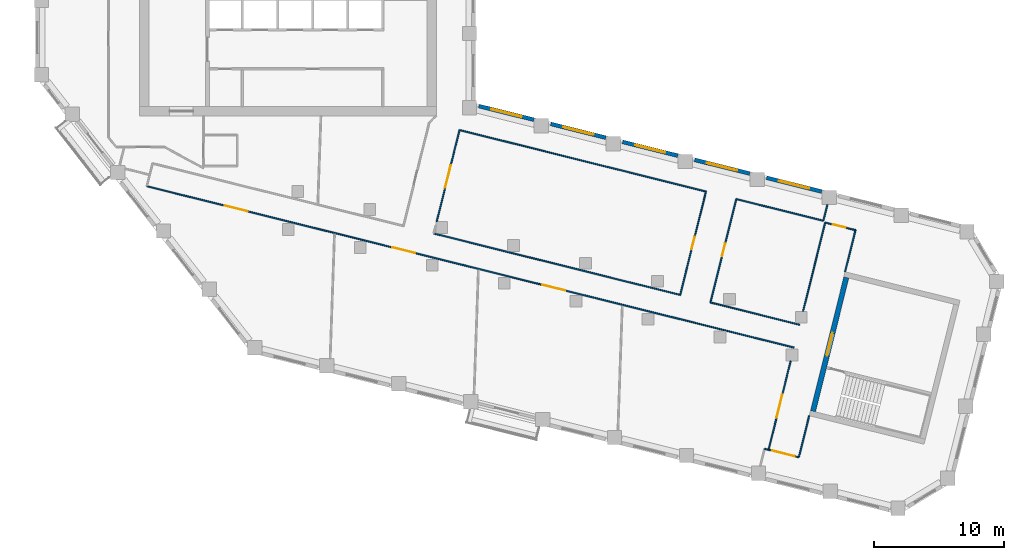
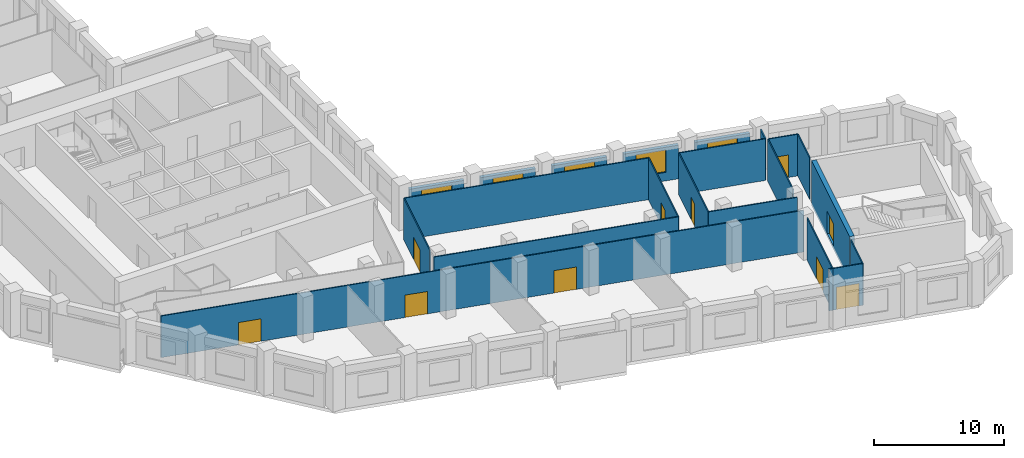
# One storey, part 4 of 10: 22 walls, 10 doors, 5 windows, 15 openings.
"""IFC4 building model written with IfcOpenShell, lengths in metres."""

from ifc_helpers import new_model, si_unit, direction, frame, frame_2d, origin, place, context, subcontext, project, spatial, rectangle, extrude, material, layer, layer_set, type_object, element, fill, save


model = new_model("IFC4")

# Units and contexts
model_context = context("Model", 3, precision=1e-05, world=origin(), true_north=direction((0.0, 1.0)))
body_context = subcontext(model_context, "Body", "Model", "MODEL_VIEW")
ifc_project = project(units=[si_unit("LENGTHUNIT", "METRE"), si_unit("AREAUNIT", "SQUARE_METRE"), si_unit("VOLUMEUNIT", "CUBIC_METRE"), si_unit("PLANEANGLEUNIT", "RADIAN"), si_unit("MASSUNIT", "GRAM", prefix="KILO")], contexts=[model_context])

# Site, building, storey
site_placement = place(None, origin())
site = spatial("IfcSite", under=ifc_project, at=site_placement, CompositionType="ELEMENT")
building_placement = place(site_placement, origin())
building = spatial("IfcBuilding", under=site, at=building_placement, Name="Meshkara Civic Tower", CompositionType="ELEMENT")
storey_placement = place(building_placement, frame((0.0, 0.0, 255.0)))
storey = spatial("IfcBuildingStorey", under=building, at=storey_placement, Name="L58", CompositionType="ELEMENT", Elevation=255.0)

# Wall, openings, doors
ifc_material_1 = material(Name="Corridor wall 100")
ifc_layer_1 = layer(ifc_material_1, 0.10009765625)
ifc_layer_set_1 = layer_set([ifc_layer_1], Name="Corridor wall 100")
wall_type_1 = type_object("IfcWallType", Name="Corridor wall 100", PredefinedType="PARTITIONING", material=ifc_layer_set_1)
wall_1_placement = place(storey_placement, frame((8.550048828125, 8.68505859375, 0.0), z_axis=(0.0, 0.0, 1.0), x_axis=(0.970298026101, -0.241912671319, 0.0)))
wall_1 = element("IfcWall", 1, at=wall_1_placement, inside=storey, type_object=wall_type_1, Name="L58-W008", PredefinedType="PARTITIONING", context=body_context, shape_type="SweptSolid", body=[
    extrude(rectangle(XDim=51.27490234375, YDim=0.10009765625, at=frame_2d((25.637451171875, 0.0))), origin(), (0.0, 0.0, 1.0), 3.89990234375),
])
opening_1_placement = place(wall_1_placement, frame((19.449951171875, 0.0, 0.0)))
opening_1 = element("IfcOpeningElement", 2, at=opening_1_placement, cuts=wall_1, Name="Opening L58-D003", PredefinedType="OPENING", context=body_context, shape_type="SweptSolid", body=[
    extrude(rectangle(XDim=1.800048828125, YDim=2.10009765625, at=frame_2d((0.89990234375, 1.050048828125))), frame((0.0, 0.06005859375, 0.0), z_axis=(0.0, -1.0, 0.0), x_axis=(1.0, 0.0, 0.0)), (0.0, 0.0, 1.0), 0.1201171875),
])
opening_2_placement = place(wall_1_placement, frame((31.35009765625, 0.0, 0.0)))
opening_2 = element("IfcOpeningElement", 3, at=opening_2_placement, cuts=wall_1, Name="Opening L58-D004", PredefinedType="OPENING", context=body_context, shape_type="SweptSolid", body=[
    extrude(rectangle(XDim=1.800048828125, YDim=2.10009765625, at=frame_2d((0.89990234375, 1.050048828125))), frame((0.0, 0.06005859375, 0.0), z_axis=(0.0, -1.0, 0.0), x_axis=(1.0, 0.0, 0.0)), (0.0, 0.0, 1.0), 0.1201171875),
])
opening_3_placement = place(wall_1_placement, frame((6.179931640625, 0.0, 0.0)))
opening_3 = element("IfcOpeningElement", 4, at=opening_3_placement, cuts=wall_1, Name="Opening L58-D010", PredefinedType="OPENING", context=body_context, shape_type="SweptSolid", body=[
    extrude(rectangle(XDim=1.800048828125, YDim=2.10009765625, at=frame_2d((0.89990234375, 1.050048828125))), frame((0.0, 0.06005859375, 0.0), z_axis=(0.0, -1.0, 0.0), x_axis=(1.0, 0.0, 0.0)), (0.0, 0.0, 1.0), 0.1201171875),
])
ifc_material_2 = material(Name="Door pair 1800 x 2100")
door_type_1 = type_object("IfcDoorType", Name="Door pair 1800 x 2100", OperationType="SINGLE_SWING_LEFT", PredefinedType="DOOR", material=ifc_material_2)
door_1_placement = place(opening_1_placement, origin())
door_1 = element("IfcDoor", 5, at=door_1_placement, inside=storey, type_object=door_type_1, Name="L58-D003", OperationType="DOUBLE_DOOR_SINGLE_SWING", OverallHeight=2.10009765625, OverallWidth=1.800048828125, PredefinedType="DOOR", context=body_context, shape_type="SweptSolid", body=[
    extrude(rectangle(XDim=1.800048828125, YDim=2.10009765625, at=frame_2d((0.89990234375, 1.050048828125))), frame((0.0, 0.02490234375, 0.0), z_axis=(0.0, -1.0, 0.0), x_axis=(1.0, 0.0, 0.0)), (0.0, 0.0, 1.0), 0.050048828125),
])
fill(opening_1, door_1)
door_2_placement = place(opening_2_placement, origin())
door_2 = element("IfcDoor", 6, at=door_2_placement, inside=storey, type_object=door_type_1, Name="L58-D004", OperationType="DOUBLE_DOOR_SINGLE_SWING", OverallHeight=2.10009765625, OverallWidth=1.800048828125, PredefinedType="DOOR", context=body_context, shape_type="SweptSolid", body=[
    extrude(rectangle(XDim=1.800048828125, YDim=2.10009765625, at=frame_2d((0.89990234375, 1.050048828125))), frame((0.0, 0.02490234375, 0.0), z_axis=(0.0, -1.0, 0.0), x_axis=(1.0, 0.0, 0.0)), (0.0, 0.0, 1.0), 0.050048828125),
])
fill(opening_2, door_2)
door_3_placement = place(opening_3_placement, origin())
door_3 = element("IfcDoor", 7, at=door_3_placement, inside=storey, type_object=door_type_1, Name="L58-D010", OperationType="DOUBLE_DOOR_SINGLE_SWING", OverallHeight=2.10009765625, OverallWidth=1.800048828125, PredefinedType="DOOR", context=body_context, shape_type="SweptSolid", body=[
    extrude(rectangle(XDim=1.800048828125, YDim=2.10009765625, at=frame_2d((0.89990234375, 1.050048828125))), frame((0.0, 0.02490234375, 0.0), z_axis=(0.0, -1.0, 0.0), x_axis=(1.0, 0.0, 0.0)), (0.0, 0.0, 1.0), 0.050048828125),
])
fill(opening_3, door_3)

# Wall, opening, door
wall_2_placement = place(storey_placement, frame((30.8330078125, 5.962890625, 0.0), z_axis=(0.0, 0.0, 1.0), x_axis=(0.241902093757, 0.970300663215, 0.0)))
wall_2 = element("IfcWall", 8, at=wall_2_placement, inside=storey, type_object=wall_type_1, Name="L58-W029", PredefinedType="PARTITIONING", context=body_context, shape_type="SweptSolid", body=[
    extrude(rectangle(XDim=7.254638671875, YDim=0.10009765625, at=frame_2d((3.62744140625, 0.0))), origin(), (0.0, 0.0, 1.0), 3.89990234375),
])
opening_4_placement = place(wall_2_placement, frame((2.679931640625, 0.0, 0.0)))
opening_4 = element("IfcOpeningElement", 9, at=opening_4_placement, cuts=wall_2, Name="Opening L58-D012", PredefinedType="OPENING", context=body_context, shape_type="SweptSolid", body=[
    extrude(rectangle(XDim=1.800048828125, YDim=2.10009765625, at=frame_2d((0.89990234375, 1.050048828125))), frame((0.0, 0.06005859375, 0.0), z_axis=(0.0, -1.0, 0.0), x_axis=(1.0, 0.0, 0.0)), (0.0, 0.0, 1.0), 0.1201171875),
])
door_4_placement = place(opening_4_placement, origin())
door_4 = element("IfcDoor", 10, at=door_4_placement, inside=storey, type_object=door_type_1, Name="L58-D012", OperationType="DOUBLE_DOOR_SINGLE_SWING", OverallHeight=2.10009765625, OverallWidth=1.800048828125, PredefinedType="DOOR", context=body_context, shape_type="SweptSolid", body=[
    extrude(rectangle(XDim=1.800048828125, YDim=2.10009765625, at=frame_2d((0.89990234375, 1.050048828125))), frame((0.0, 0.02490234375, 0.0), z_axis=(0.0, -1.0, 0.0), x_axis=(1.0, 0.0, 0.0)), (0.0, 0.0, 1.0), 0.050048828125),
])
fill(opening_4, door_4)

# Walls
wall_3_placement = place(storey_placement, frame((32.587890625, 13.001953125, 0.0), z_axis=(0.0, 0.0, 1.0), x_axis=(0.970294555223, -0.241926592387, 0.0)))
element("IfcWall", 11, at=wall_3_placement, inside=storey, type_object=wall_type_1, Name="L58-W031", PredefinedType="PARTITIONING", context=body_context, shape_type="SweptSolid", body=[
    extrude(rectangle(XDim=19.526123046875, YDim=0.10009765625, at=frame_2d((9.76318359375, 0.0))), origin(), (0.0, 0.0, 1.0), 3.89990234375),
])
wall_4_placement = place(storey_placement, frame((49.551025390625, 0.326904296875, 0.0), z_axis=(0.0, 0.0, 1.0), x_axis=(-0.970303359745, 0.241891277369, 0.0)))
element("IfcWall", 12, at=wall_4_placement, inside=storey, type_object=wall_type_1, Name="L58-W032", PredefinedType="PARTITIONING", context=body_context, shape_type="SweptSolid", body=[
    extrude(rectangle(XDim=19.52587890625, YDim=0.10009765625, at=frame_2d((9.762939453125, 0.0))), origin(), (0.0, 0.0, 1.0), 3.89990234375),
])

# Wall, opening, door
wall_5_placement = place(storey_placement, frame((51.533935546875, 8.278076171875, 0.0), z_axis=(0.0, 0.0, 1.0), x_axis=(-0.241974784284, -0.970282538115, 0.0)))
wall_5 = element("IfcWall", 13, at=wall_5_placement, inside=storey, type_object=wall_type_1, Name="L58-W033", PredefinedType="PARTITIONING", context=body_context, shape_type="SweptSolid", body=[
    extrude(rectangle(XDim=8.194580078125, YDim=0.10009765625, at=frame_2d((4.09716796875, 0.0))), origin(), (0.0, 0.0, 1.0), 3.89990234375),
])
opening_5_placement = place(wall_5_placement, frame((3.580078125, 0.0, 0.0)))
opening_5 = element("IfcOpeningElement", 14, at=opening_5_placement, cuts=wall_5, Name="Opening L58-D005", PredefinedType="OPENING", context=body_context, shape_type="SweptSolid", body=[
    extrude(rectangle(XDim=1.0, YDim=2.10009765625, at=frame_2d((0.5, 1.050048828125))), frame((0.0, 0.06005859375, 0.0), z_axis=(0.0, -1.0, 0.0), x_axis=(1.0, 0.0, 0.0)), (0.0, 0.0, 1.0), 0.1201171875),
])
ifc_material_3 = material(Name="Door 1000 x 2100")
door_type_2 = type_object("IfcDoorType", Name="Door 1000 x 2100", OperationType="SINGLE_SWING_LEFT", PredefinedType="DOOR", material=ifc_material_3)
door_5_placement = place(opening_5_placement, origin())
door_5 = element("IfcDoor", 15, at=door_5_placement, inside=storey, type_object=door_type_2, Name="L58-D005", OperationType="SINGLE_SWING_RIGHT", OverallHeight=2.10009765625, OverallWidth=1.0, PredefinedType="DOOR", context=body_context, shape_type="SweptSolid", body=[
    extrude(rectangle(XDim=1.0, YDim=2.10009765625, at=frame_2d((0.5, 1.050048828125))), frame((0.0, 0.02490234375, 0.0), z_axis=(0.0, -1.0, 0.0), x_axis=(1.0, 0.0, 0.0)), (0.0, 0.0, 1.0), 0.050048828125),
])
fill(opening_5, door_5)

wall_6_placement = place(storey_placement, frame((51.8798828125, -0.25390625, 0.0), z_axis=(0.0, 0.0, 1.0), x_axis=(0.241869660979, 0.970308748336, 0.0)))
wall_6 = element("IfcWall", 16, at=wall_6_placement, inside=storey, type_object=wall_type_1, Name="L58-W034", PredefinedType="PARTITIONING", context=body_context, shape_type="SweptSolid", body=[
    extrude(rectangle(XDim=8.1953125, YDim=0.10009765625, at=frame_2d((4.09765625, 0.0))), origin(), (0.0, 0.0, 1.0), 3.89990234375),
])
opening_6_placement = place(wall_6_placement, frame((3.679931640625, 0.0, 0.0)))
opening_6 = element("IfcOpeningElement", 17, at=opening_6_placement, cuts=wall_6, Name="Opening L58-D006", PredefinedType="OPENING", context=body_context, shape_type="SweptSolid", body=[
    extrude(rectangle(XDim=1.0, YDim=2.10009765625, at=frame_2d((0.5, 1.050048828125))), frame((0.0, 0.06005859375, 0.0), z_axis=(0.0, -1.0, 0.0), x_axis=(1.0, 0.0, 0.0)), (0.0, 0.0, 1.0), 0.1201171875),
])
door_6_placement = place(opening_6_placement, origin())
door_6 = element("IfcDoor", 18, at=door_6_placement, inside=storey, type_object=door_type_2, Name="L58-D006", OperationType="SINGLE_SWING_LEFT", OverallHeight=2.10009765625, OverallWidth=1.0, PredefinedType="DOOR", context=body_context, shape_type="SweptSolid", body=[
    extrude(rectangle(XDim=1.0, YDim=2.10009765625, at=frame_2d((0.5, 1.050048828125))), frame((0.0, 0.02490234375, 0.0), z_axis=(0.0, -1.0, 0.0), x_axis=(1.0, 0.0, 0.0)), (0.0, 0.0, 1.0), 0.050048828125),
])
fill(opening_6, door_6)

# Wall
wall_7_placement = place(storey_placement, frame((53.862060546875, 7.697998046875, 0.0), z_axis=(0.0, 0.0, 1.0), x_axis=(0.970296350815, -0.241919390698, 0.0)))
element("IfcWall", 19, at=wall_7_placement, inside=storey, type_object=wall_type_1, Name="L58-W035", PredefinedType="PARTITIONING", context=body_context, shape_type="SweptSolid", body=[
    extrude(rectangle(XDim=6.898681640625, YDim=0.10009765625, at=frame_2d((3.44921875, 0.0))), origin(), (0.0, 0.0, 1.0), 3.89990234375),
])

# Wall, opening, door
wall_8_placement = place(storey_placement, frame((56.343994140625, -11.574951171875, 0.0), z_axis=(0.0, 0.0, 1.0), x_axis=(0.970333736057, -0.241769395645, 0.0)))
wall_8 = element("IfcWall", 20, at=wall_8_placement, inside=storey, type_object=wall_type_1, Name="L58-W036", PredefinedType="PARTITIONING", context=body_context, shape_type="SweptSolid", body=[
    extrude(rectangle(XDim=2.3994140625, YDim=0.10009765625, at=frame_2d((1.19970703125, 0.0))), origin(), (0.0, 0.0, 1.0), 3.89990234375),
])
opening_7_placement = place(wall_8_placement, frame((0.280029296875, 0.0, 0.0)))
opening_7 = element("IfcOpeningElement", 21, at=opening_7_placement, cuts=wall_8, Name="Opening L58-D002", PredefinedType="OPENING", context=body_context, shape_type="SweptSolid", body=[
    extrude(rectangle(XDim=1.800048828125, YDim=2.10009765625, at=frame_2d((0.89990234375, 1.050048828125))), frame((0.0, 0.06005859375, 0.0), z_axis=(0.0, -1.0, 0.0), x_axis=(1.0, 0.0, 0.0)), (0.0, 0.0, 1.0), 0.1201171875),
])
door_7_placement = place(opening_7_placement, origin())
door_7 = element("IfcDoor", 22, at=door_7_placement, inside=storey, type_object=door_type_1, Name="L58-D002", OperationType="DOUBLE_DOOR_SINGLE_SWING", OverallHeight=2.10009765625, OverallWidth=1.800048828125, PredefinedType="DOOR", context=body_context, shape_type="SweptSolid", body=[
    extrude(rectangle(XDim=1.800048828125, YDim=2.10009765625, at=frame_2d((0.89990234375, 1.050048828125))), frame((0.0, 0.02490234375, 0.0), z_axis=(0.0, -1.0, 0.0), x_axis=(1.0, 0.0, 0.0)), (0.0, 0.0, 1.0), 0.050048828125),
])
fill(opening_7, door_7)

wall_9_placement = place(storey_placement, frame((58.047119140625, -4.741943359375, 0.0), z_axis=(0.0, 0.0, 1.0), x_axis=(-0.241882891004, -0.970305450381, 0.0)))
wall_9 = element("IfcWall", 23, at=wall_9_placement, inside=storey, type_object=wall_type_1, Name="L58-W037", PredefinedType="PARTITIONING", context=body_context, shape_type="SweptSolid", body=[
    extrude(rectangle(XDim=7.041015625, YDim=0.10009765625, at=frame_2d((3.5205078125, 0.0))), origin(), (0.0, 0.0, 1.0), 3.89990234375),
])
opening_8_placement = place(wall_9_placement, frame((2.679931640625, 0.0, 0.0)))
opening_8 = element("IfcOpeningElement", 24, at=opening_8_placement, cuts=wall_9, Name="Opening L58-D001", PredefinedType="OPENING", context=body_context, shape_type="SweptSolid", body=[
    extrude(rectangle(XDim=1.800048828125, YDim=2.10009765625, at=frame_2d((0.89990234375, 1.050048828125))), frame((0.0, 0.06005859375, 0.0), z_axis=(0.0, -1.0, 0.0), x_axis=(1.0, 0.0, 0.0)), (0.0, 0.0, 1.0), 0.1201171875),
])
door_8_placement = place(opening_8_placement, origin())
door_8 = element("IfcDoor", 25, at=door_8_placement, inside=storey, type_object=door_type_1, Name="L58-D001", OperationType="DOUBLE_DOOR_SINGLE_SWING", OverallHeight=2.10009765625, OverallWidth=1.800048828125, PredefinedType="DOOR", context=body_context, shape_type="SweptSolid", body=[
    extrude(rectangle(XDim=1.800048828125, YDim=2.10009765625, at=frame_2d((0.89990234375, 1.050048828125))), frame((0.0, 0.02490234375, 0.0), z_axis=(0.0, -1.0, 0.0), x_axis=(1.0, 0.0, 0.0)), (0.0, 0.0, 1.0), 0.050048828125),
])
fill(opening_8, door_8)

# Walls
wall_10_placement = place(storey_placement, frame((58.672119140625, -12.155029296875, 0.0), z_axis=(0.0, 0.0, 1.0), x_axis=(0.242048225647, 0.970264219922, 0.0)))
element("IfcWall", 26, at=wall_10_placement, inside=storey, type_object=wall_type_1, Name="L58-W038", PredefinedType="PARTITIONING", context=body_context, shape_type="SweptSolid", body=[
    extrude(rectangle(XDim=3.30029296875, YDim=0.10009765625, at=frame_2d((1.650146484375, 0.0))), origin(), (0.0, 0.0, 1.0), 3.89990234375),
])
wall_11_placement = place(storey_placement, frame((58.739990234375, -1.965087890625, 0.0), z_axis=(0.0, 0.0, 1.0), x_axis=(-0.970270330794, 0.24202372855, 0.0)))
element("IfcWall", 27, at=wall_11_placement, inside=storey, type_object=wall_type_1, Name="L58-W039", PredefinedType="PARTITIONING", context=body_context, shape_type="SweptSolid", body=[
    extrude(rectangle(XDim=7.0703125, YDim=0.10009765625, at=frame_2d((3.53515625, 0.0))), origin(), (0.0, 0.0, 1.0), 3.89990234375),
])
wall_12_placement = place(storey_placement, frame((60.555908203125, 6.029052734375, 0.0), z_axis=(0.0, 0.0, 1.0), x_axis=(0.24168476558, 0.970354818655, 0.0)))
element("IfcWall", 28, at=wall_12_placement, inside=storey, type_object=wall_type_1, Name="L58-W040", PredefinedType="PARTITIONING", context=body_context, shape_type="SweptSolid", body=[
    extrude(rectangle(XDim=1.282958984375, YDim=0.10009765625, at=frame_2d((0.6416015625, 0.0))), origin(), (0.0, 0.0, 1.0), 3.89990234375),
])
wall_13_placement = place(storey_placement, frame((60.697998046875, 5.89111328125, 0.0), z_axis=(0.0, 0.0, 1.0), x_axis=(-0.241890198624, -0.97030362867, 0.0)))
element("IfcWall", 29, at=wall_13_placement, inside=storey, type_object=wall_type_1, Name="L58-W041", PredefinedType="PARTITIONING", context=body_context, shape_type="SweptSolid", body=[
    extrude(rectangle(XDim=7.03173828125, YDim=0.10009765625, at=frame_2d((3.515869140625, 0.0))), origin(), (0.0, 0.0, 1.0), 3.89990234375),
])
wall_14_placement = place(storey_placement, frame((62.22900390625, 2.10791015625, 0.0), z_axis=(0.0, 0.0, 1.0), x_axis=(0.241839284064, 0.97031631991, 0.0)))
element("IfcWall", 30, at=wall_14_placement, inside=storey, type_object=wall_type_1, Name="L58-W042", PredefinedType="PARTITIONING", context=body_context, shape_type="SweptSolid", body=[
    extrude(rectangle(XDim=3.300048828125, YDim=0.10009765625, at=frame_2d((1.64990234375, 0.0))), origin(), (0.0, 0.0, 1.0), 3.89990234375),
])

# Wall, opening, door
wall_15_placement = place(storey_placement, frame((63.027099609375, 5.31005859375, 0.0), z_axis=(0.0, 0.0, 1.0), x_axis=(-0.970262034576, 0.242056985565, 0.0)))
wall_15 = element("IfcWall", 31, at=wall_15_placement, inside=storey, type_object=wall_type_1, Name="L58-W043", PredefinedType="PARTITIONING", context=body_context, shape_type="SweptSolid", body=[
    extrude(rectangle(XDim=2.400390625, YDim=0.10009765625, at=frame_2d((1.2001953125, 0.0))), origin(), (0.0, 0.0, 1.0), 3.89990234375),
])
opening_9_placement = place(wall_15_placement, frame((0.780029296875, 0.0, 0.0)))
opening_9 = element("IfcOpeningElement", 32, at=opening_9_placement, cuts=wall_15, Name="Opening L58-D007", PredefinedType="OPENING", context=body_context, shape_type="SweptSolid", body=[
    extrude(rectangle(XDim=1.0, YDim=2.10009765625, at=frame_2d((0.5, 1.050048828125))), frame((0.0, 0.06005859375, 0.0), z_axis=(0.0, -1.0, 0.0), x_axis=(1.0, 0.0, 0.0)), (0.0, 0.0, 1.0), 0.1201171875),
])
door_9_placement = place(opening_9_placement, origin())
door_9 = element("IfcDoor", 33, at=door_9_placement, inside=storey, type_object=door_type_2, Name="L58-D007", OperationType="SINGLE_SWING_LEFT", OverallHeight=2.10009765625, OverallWidth=1.0, PredefinedType="DOOR", context=body_context, shape_type="SweptSolid", body=[
    extrude(rectangle(XDim=1.0, YDim=2.10009765625, at=frame_2d((0.5, 1.050048828125))), frame((0.0, 0.02490234375, 0.0), z_axis=(0.0, -1.0, 0.0), x_axis=(1.0, 0.0, 0.0)), (0.0, 0.0, 1.0), 0.050048828125),
])
fill(opening_9, door_9)

# Wall, opening, window
ifc_material_4 = material(Name="Insulated infill panel with bronze anodised aluminium cladding", Category="aluminium")
ifc_layer_2 = layer(ifc_material_4, 0.300048828125)
ifc_layer_set_2 = layer_set([ifc_layer_2], Name="EXTERNAL INFILL WALL 300")
wall_type_2 = type_object("IfcWallType", Name="EXTERNAL INFILL WALL 300", PredefinedType="SOLIDWALL", material=ifc_layer_set_2)
wall_16_placement = place(storey_placement, frame((60.428955078125, 8.277099609375, 0.0), z_axis=(0.0, 0.0, 1.0), x_axis=(-0.97030676369, 0.241877622649, 0.0)))
wall_16 = element("IfcWall", 34, at=wall_16_placement, inside=storey, type_object=wall_type_2, Name="External wall", PredefinedType="SOLIDWALL", context=body_context, shape_type="SweptSolid", body=[
    extrude(rectangle(XDim=4.365478515625, YDim=0.300048828125, at=frame_2d((2.1826171875, 0.0))), origin(), (0.0, 0.0, 1.0), 3.14990234375),
])
opening_10_placement = place(wall_16_placement, frame((0.98291015625, 0.0, 0.800048828125)))
opening_10 = element("IfcOpeningElement", 35, at=opening_10_placement, cuts=wall_16, Name="Opening W7", PredefinedType="OPENING", context=body_context, shape_type="SweptSolid", body=[
    extrude(rectangle(XDim=2.39990234375, YDim=2.10009765625, at=frame_2d((1.199951171875, 1.050048828125))), frame((0.0, 0.159912109375, 0.0), z_axis=(0.0, -1.0, 0.0), x_axis=(1.0, 0.0, 0.0)), (0.0, 0.0, 1.0), 0.320068359375),
])
ifc_material_5 = material(Name="Tinted double glazing", Category="glass")
window_type = type_object("IfcWindowType", Name="WINDOW 2400x2100", PartitioningType="DOUBLE_PANEL_VERTICAL", PredefinedType="WINDOW", material=ifc_material_5)
window_1_placement = place(opening_10_placement, origin())
window_1 = element("IfcWindow", 36, at=window_1_placement, inside=storey, type_object=window_type, Name="Window", OverallHeight=2.10009765625, OverallWidth=2.39990234375, PartitioningType="DOUBLE_PANEL_VERTICAL", PredefinedType="WINDOW", context=body_context, shape_type="SweptSolid", body=[
    extrude(rectangle(XDim=2.39990234375, YDim=2.10009765625, at=frame_2d((1.199951171875, 1.050048828125))), frame((0.0, 0.030029296875, 0.0), z_axis=(0.0, -1.0, 0.0), x_axis=(1.0, 0.0, 0.0)), (0.0, 0.0, 1.0), 0.06005859375),
])
fill(opening_10, window_1)

wall_17_placement = place(storey_placement, frame((54.89892578125, 9.656005859375, 0.0), z_axis=(0.0, 0.0, 1.0), x_axis=(-0.970319847058, 0.241825131873, 0.0)))
wall_17 = element("IfcWall", 37, at=wall_17_placement, inside=storey, type_object=wall_type_2, Name="External wall", PredefinedType="SOLIDWALL", context=body_context, shape_type="SweptSolid", body=[
    extrude(rectangle(XDim=4.366455078125, YDim=0.300048828125, at=frame_2d((2.18310546875, 0.0))), origin(), (0.0, 0.0, 1.0), 3.14990234375),
])
opening_11_placement = place(wall_17_placement, frame((0.98291015625, 0.0, 0.800048828125)))
opening_11 = element("IfcOpeningElement", 38, at=opening_11_placement, cuts=wall_17, Name="Opening W7", PredefinedType="OPENING", context=body_context, shape_type="SweptSolid", body=[
    extrude(rectangle(XDim=2.39990234375, YDim=2.10009765625, at=frame_2d((1.199951171875, 1.050048828125))), frame((0.0, 0.159912109375, 0.0), z_axis=(0.0, -1.0, 0.0), x_axis=(1.0, 0.0, 0.0)), (0.0, 0.0, 1.0), 0.320068359375),
])
window_2_placement = place(opening_11_placement, origin())
window_2 = element("IfcWindow", 39, at=window_2_placement, inside=storey, type_object=window_type, Name="Window", OverallHeight=2.10009765625, OverallWidth=2.39990234375, PartitioningType="DOUBLE_PANEL_VERTICAL", PredefinedType="WINDOW", context=body_context, shape_type="SweptSolid", body=[
    extrude(rectangle(XDim=2.39990234375, YDim=2.10009765625, at=frame_2d((1.199951171875, 1.050048828125))), frame((0.0, 0.030029296875, 0.0), z_axis=(0.0, -1.0, 0.0), x_axis=(1.0, 0.0, 0.0)), (0.0, 0.0, 1.0), 0.06005859375),
])
fill(opening_11, window_2)

wall_18_placement = place(storey_placement, frame((49.367919921875, 11.034912109375, 0.0), z_axis=(0.0, 0.0, 1.0), x_axis=(-0.970306725873, 0.241877774353, 0.0)))
wall_18 = element("IfcWall", 40, at=wall_18_placement, inside=storey, type_object=wall_type_2, Name="External wall", PredefinedType="SOLIDWALL", context=body_context, shape_type="SweptSolid", body=[
    extrude(rectangle(XDim=4.366455078125, YDim=0.300048828125, at=frame_2d((2.18310546875, 0.0))), origin(), (0.0, 0.0, 1.0), 3.14990234375),
])
opening_12_placement = place(wall_18_placement, frame((0.98291015625, 0.0, 0.800048828125)))
opening_12 = element("IfcOpeningElement", 41, at=opening_12_placement, cuts=wall_18, Name="Opening W7", PredefinedType="OPENING", context=body_context, shape_type="SweptSolid", body=[
    extrude(rectangle(XDim=2.39990234375, YDim=2.10009765625, at=frame_2d((1.199951171875, 1.050048828125))), frame((0.0, 0.159912109375, 0.0), z_axis=(0.0, -1.0, 0.0), x_axis=(1.0, 0.0, 0.0)), (0.0, 0.0, 1.0), 0.320068359375),
])
window_3_placement = place(opening_12_placement, origin())
window_3 = element("IfcWindow", 42, at=window_3_placement, inside=storey, type_object=window_type, Name="Window", OverallHeight=2.10009765625, OverallWidth=2.39990234375, PartitioningType="DOUBLE_PANEL_VERTICAL", PredefinedType="WINDOW", context=body_context, shape_type="SweptSolid", body=[
    extrude(rectangle(XDim=2.39990234375, YDim=2.10009765625, at=frame_2d((1.199951171875, 1.050048828125))), frame((0.0, 0.030029296875, 0.0), z_axis=(0.0, -1.0, 0.0), x_axis=(1.0, 0.0, 0.0)), (0.0, 0.0, 1.0), 0.06005859375),
])
fill(opening_12, window_3)

wall_19_placement = place(storey_placement, frame((43.8369140625, 12.4140625, 0.0), z_axis=(0.0, 0.0, 1.0), x_axis=(-0.97030676369, 0.241877622649, 0.0)))
wall_19 = element("IfcWall", 43, at=wall_19_placement, inside=storey, type_object=wall_type_2, Name="External wall", PredefinedType="SOLIDWALL", context=body_context, shape_type="SweptSolid", body=[
    extrude(rectangle(XDim=4.365478515625, YDim=0.300048828125, at=frame_2d((2.1826171875, 0.0))), origin(), (0.0, 0.0, 1.0), 3.14990234375),
])
opening_13_placement = place(wall_19_placement, frame((0.98291015625, 0.0, 0.800048828125)))
opening_13 = element("IfcOpeningElement", 44, at=opening_13_placement, cuts=wall_19, Name="Opening W7", PredefinedType="OPENING", context=body_context, shape_type="SweptSolid", body=[
    extrude(rectangle(XDim=2.39990234375, YDim=2.10009765625, at=frame_2d((1.199951171875, 1.050048828125))), frame((0.0, 0.159912109375, 0.0), z_axis=(0.0, -1.0, 0.0), x_axis=(1.0, 0.0, 0.0)), (0.0, 0.0, 1.0), 0.320068359375),
])
window_4_placement = place(opening_13_placement, origin())
window_4 = element("IfcWindow", 45, at=window_4_placement, inside=storey, type_object=window_type, Name="Window", OverallHeight=2.10009765625, OverallWidth=2.39990234375, PartitioningType="DOUBLE_PANEL_VERTICAL", PredefinedType="WINDOW", context=body_context, shape_type="SweptSolid", body=[
    extrude(rectangle(XDim=2.39990234375, YDim=2.10009765625, at=frame_2d((1.199951171875, 1.050048828125))), frame((0.0, 0.030029296875, 0.0), z_axis=(0.0, -1.0, 0.0), x_axis=(1.0, 0.0, 0.0)), (0.0, 0.0, 1.0), 0.06005859375),
])
fill(opening_13, window_4)

wall_20_placement = place(storey_placement, frame((38.306884765625, 13.79296875, 0.0), z_axis=(0.0, 0.0, 1.0), x_axis=(-0.970306725873, 0.241877774353, 0.0)))
wall_20 = element("IfcWall", 46, at=wall_20_placement, inside=storey, type_object=wall_type_2, Name="External wall", PredefinedType="SOLIDWALL", context=body_context, shape_type="SweptSolid", body=[
    extrude(rectangle(XDim=4.366455078125, YDim=0.300048828125, at=frame_2d((2.18310546875, 0.0))), origin(), (0.0, 0.0, 1.0), 3.14990234375),
])
opening_14_placement = place(wall_20_placement, frame((0.98291015625, 0.0, 0.800048828125)))
opening_14 = element("IfcOpeningElement", 47, at=opening_14_placement, cuts=wall_20, Name="Opening W7", PredefinedType="OPENING", context=body_context, shape_type="SweptSolid", body=[
    extrude(rectangle(XDim=2.39990234375, YDim=2.10009765625, at=frame_2d((1.199951171875, 1.050048828125))), frame((0.0, 0.159912109375, 0.0), z_axis=(0.0, -1.0, 0.0), x_axis=(1.0, 0.0, 0.0)), (0.0, 0.0, 1.0), 0.320068359375),
])
window_5_placement = place(opening_14_placement, origin())
window_5 = element("IfcWindow", 48, at=window_5_placement, inside=storey, type_object=window_type, Name="Window", OverallHeight=2.10009765625, OverallWidth=2.39990234375, PartitioningType="DOUBLE_PANEL_VERTICAL", PredefinedType="WINDOW", context=body_context, shape_type="SweptSolid", body=[
    extrude(rectangle(XDim=2.39990234375, YDim=2.10009765625, at=frame_2d((1.199951171875, 1.050048828125))), frame((0.0, 0.030029296875, 0.0), z_axis=(0.0, -1.0, 0.0), x_axis=(1.0, 0.0, 0.0)), (0.0, 0.0, 1.0), 0.06005859375),
])
fill(opening_14, window_5)

# Wall, opening, door
ifc_material_6 = material(Name="Concrete C60", Category="concrete")
ifc_layer_3 = layer(ifc_material_6, 0.39990234375)
ifc_layer_set_3 = layer_set([ifc_layer_3], Name="End core ring wall 400 C60")
wall_type_3 = type_object("IfcWallType", Name="End core ring wall 400 C60", PredefinedType="SHEAR", material=ifc_layer_set_3)
wall_21_placement = place(storey_placement, frame((59.760986328125, -8.613037109375, -0.300048828125), z_axis=(0.0, 0.0, 1.0), x_axis=(0.241971982666, 0.970283236795, 0.0)))
wall_21 = element("IfcWall", 49, at=wall_21_placement, inside=storey, type_object=wall_type_3, Name="L58-C030", PredefinedType="SHEAR", context=body_context, shape_type="SweptSolid", body=[
    extrude(rectangle(XDim=10.60009765625, YDim=0.39990234375, at=frame_2d((5.300048828125, 0.0))), origin(), (0.0, 0.0, 1.0), 4.199951171875),
])
opening_15_placement = place(wall_21_placement, frame((4.39990234375, 0.0, 0.300048828125)))
opening_15 = element("IfcOpeningElement", 50, at=opening_15_placement, cuts=wall_21, Name="Opening L58-K202", PredefinedType="OPENING", context=body_context, shape_type="SweptSolid", body=[
    extrude(rectangle(XDim=1.800048828125, YDim=2.10009765625, at=frame_2d((0.89990234375, 1.050048828125))), frame((0.0, 0.2099609375, 0.0), z_axis=(0.0, -1.0, 0.0), x_axis=(1.0, 0.0, 0.0)), (0.0, 0.0, 1.0), 0.419921875),
])
ifc_material_7 = material(Name="Fire-rated door leaf in steel frame", Category="steel")
door_type_3 = type_object("IfcDoorType", Name="Core double door 1800 EI 60", OperationType="DOUBLE_DOOR_SINGLE_SWING", PredefinedType="DOOR", material=ifc_material_7)
door_10_placement = place(opening_15_placement, origin())
door_10 = element("IfcDoor", 51, at=door_10_placement, inside=storey, type_object=door_type_3, Name="L58-K202", OperationType="DOUBLE_DOOR_SINGLE_SWING", OverallHeight=2.10009765625, OverallWidth=1.800048828125, PredefinedType="DOOR", context=body_context, shape_type="SweptSolid", body=[
    extrude(rectangle(XDim=1.800048828125, YDim=2.10009765625, at=frame_2d((0.89990234375, 1.050048828125))), frame((0.0, 0.02490234375, 0.0), z_axis=(0.0, -1.0, 0.0), x_axis=(1.0, 0.0, 0.0)), (0.0, 0.0, 1.0), 0.050048828125),
])
fill(opening_15, door_10)

# Wall
ifc_material_8 = material(Name="Partition 100")
ifc_layer_4 = layer(ifc_material_8, 0.10009765625)
ifc_layer_set_4 = layer_set([ifc_layer_4], Name="Partition 100")
wall_type_4 = type_object("IfcWallType", Name="Partition 100", PredefinedType="PARTITIONING", material=ifc_layer_set_4)
wall_22_placement = place(storey_placement, frame((56.0380859375, -11.498046875, 0.0), z_axis=(0.0, 0.0, 1.0), x_axis=(0.970551186262, -0.240894987173, 0.0)))
element("IfcWall", 52, at=wall_22_placement, inside=storey, type_object=wall_type_4, Name="L58-W059", PredefinedType="PARTITIONING", context=body_context, shape_type="SweptSolid", body=[
    extrude(rectangle(XDim=0.315185546875, YDim=0.10009765625, at=frame_2d((0.15771484375, 0.0))), origin(), (0.0, 0.0, 1.0), 3.89990234375),
])

save(model, "model.ifc")
